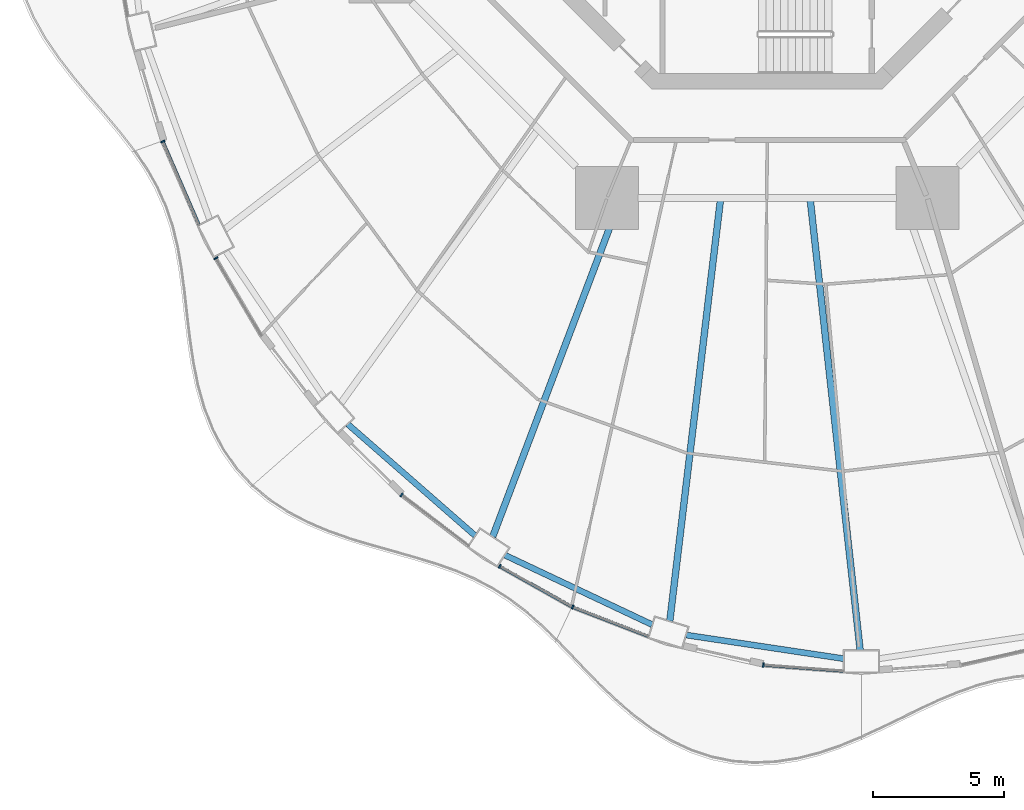
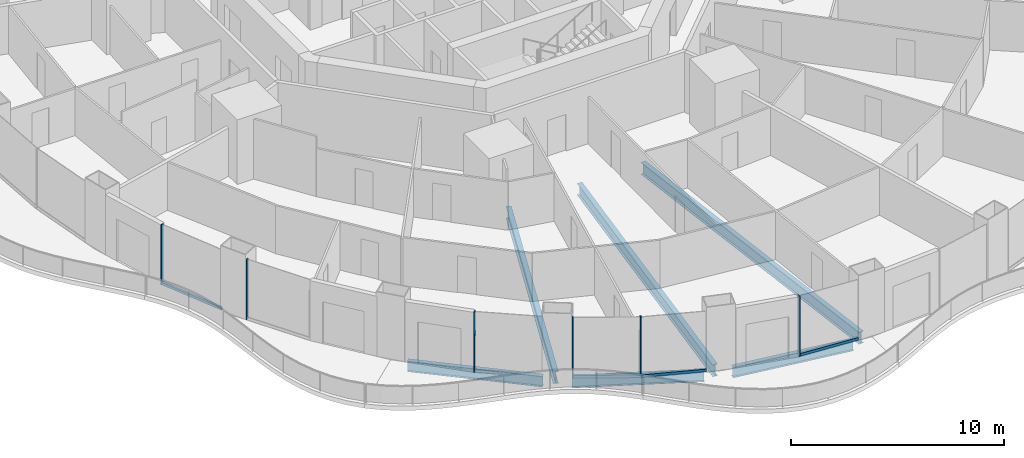
# One storey, part 2 of 22: 10 members, 6 beams, 6 elements without a shape of their own.
"""IFC4 building model written with IfcOpenShell, lengths in metres."""

from ifc_helpers import new_model, si_unit, direction, frame, origin, origin_2d, place, context, subcontext, project, spatial, rectangle, i_section, extrude, material, layer, layer_set, material_profile, profile_set, type_object, element, aggregate, save


model = new_model("IFC4")

# Units and contexts
model_context = context("Model", 3, precision=1e-05, world=origin(), true_north=direction((0.0, 1.0)))
body_context = subcontext(model_context, "Body", "Model", "MODEL_VIEW")
ifc_project = project(units=[si_unit("LENGTHUNIT", "METRE"), si_unit("AREAUNIT", "SQUARE_METRE"), si_unit("VOLUMEUNIT", "CUBIC_METRE"), si_unit("PLANEANGLEUNIT", "RADIAN"), si_unit("MASSUNIT", "GRAM", prefix="KILO")], contexts=[model_context])

# Site, building, storey
site_placement = place(None, origin())
site = spatial("IfcSite", under=ifc_project, at=site_placement, CompositionType="ELEMENT")
building_placement = place(site_placement, origin())
building = spatial("IfcBuilding", under=site, at=building_placement, Name="Nagisa Residences", CompositionType="ELEMENT")
storey_placement = place(building_placement, frame((0.0, 0.0, 49.199951171875)))
storey = spatial("IfcBuildingStorey", under=building, at=storey_placement, Name="L11", CompositionType="ELEMENT", Elevation=49.199951171875)

# Curtain wall, member
ifc_material_1 = material(Name="Concrete-coloured aluminium curtain wall system", Category="concrete")
ifc_layer = layer(ifc_material_1, 0.159912109375)
ifc_layer_set = layer_set([ifc_layer], Name="CW1 CURTAIN WALL")
curtain_wall_type = type_object("IfcCurtainWallType", Name="CW1 CURTAIN WALL", PredefinedType="NOTDEFINED", material=ifc_layer_set)
curtain_wall_1_placement = place(storey_placement, origin())
curtain_wall_1 = element("IfcCurtainWall", 1, at=curtain_wall_1_placement, inside=storey, type_object=curtain_wall_type, Name="cw:CW1:L11:27", PredefinedType="NOTDEFINED")
ifc_material_2 = material(Name="Concrete-coloured aluminium", Category="concrete")
ifc_material_profile_1 = material_profile(ifc_material_2, rectangle(XDim=0.159912109375, YDim=0.06005859375, at=origin_2d()), Name="CW1 MULLION 160x60")
ifc_profile_set_1 = profile_set([ifc_material_profile_1], Name="Concrete-coloured aluminium")
member_type_1 = type_object("IfcMemberType", Name="CW1 MULLION 160x60", PredefinedType="MULLION", material=ifc_profile_set_1)
member_1_placement = place(storey_placement, frame((-23.107177734375, -12.624267578125, 0.0), z_axis=(0.0, 0.0, 1.0), x_axis=(0.917543276295, 0.397635934147, 0.0)))
member_1 = element("IfcMember", 2, at=member_1_placement, type_object=member_type_1, Name="CW1 mullion", PredefinedType="MULLION", context=body_context, shape_type="SweptSolid", body=[
    extrude(rectangle(XDim=0.159912109375, YDim=0.06005859375, at=origin_2d()), origin(), (0.0, 0.0, 1.0), 3.43994140625),
])

curtain_wall_2_placement = place(storey_placement, origin())
curtain_wall_2 = element("IfcCurtainWall", 3, at=curtain_wall_2_placement, inside=storey, type_object=curtain_wall_type, Name="cw:CW1:L11:28", PredefinedType="NOTDEFINED")
member_2_placement = place(storey_placement, frame((-21.076171875, -17.089111328125, 0.0), z_axis=(0.0, 0.0, 1.0), x_axis=(0.862328898214, 0.506348567002, 0.0)))
member_2 = element("IfcMember", 4, at=member_2_placement, type_object=member_type_1, Name="CW1 mullion", PredefinedType="MULLION", context=body_context, shape_type="SweptSolid", body=[
    extrude(rectangle(XDim=0.159912109375, YDim=0.06005859375, at=origin_2d()), origin(), (0.0, 0.0, 1.0), 3.43994140625),
])
aggregate(curtain_wall_2, [member_2])

curtain_wall_3_placement = place(storey_placement, origin())
curtain_wall_3 = element("IfcCurtainWall", 5, at=curtain_wall_3_placement, inside=storey, type_object=curtain_wall_type, Name="cw:CW1:L11:31", PredefinedType="NOTDEFINED")
member_3_placement = place(storey_placement, frame((-13.981689453125, -26.13525390625, 0.0), z_axis=(0.0, 0.0, 1.0), x_axis=(0.605255421737, 0.79603132756, 0.0)))
member_3 = element("IfcMember", 6, at=member_3_placement, type_object=member_type_1, Name="CW1 mullion", PredefinedType="MULLION", context=body_context, shape_type="SweptSolid", body=[
    extrude(rectangle(XDim=0.159912109375, YDim=0.06005859375, at=origin_2d()), origin(), (0.0, 0.0, 1.0), 3.43994140625),
])
aggregate(curtain_wall_3, [member_3])

curtain_wall_4_placement = place(storey_placement, origin())
curtain_wall_4 = element("IfcCurtainWall", 7, at=curtain_wall_4_placement, inside=storey, type_object=curtain_wall_type, Name="cw:CW1:L11:32", PredefinedType="NOTDEFINED")
member_4_placement = place(storey_placement, frame((-10.22412109375, -28.8662109375, 0.0), z_axis=(0.0, 0.0, 1.0), x_axis=(0.489376918501, 0.872072377523, 0.0)))
member_4 = element("IfcMember", 8, at=member_4_placement, type_object=member_type_1, Name="CW1 mullion", PredefinedType="MULLION", context=body_context, shape_type="SweptSolid", body=[
    extrude(rectangle(XDim=0.159912109375, YDim=0.06005859375, at=origin_2d()), origin(), (0.0, 0.0, 1.0), 3.43994140625),
])

curtain_wall_5_placement = place(storey_placement, origin())
curtain_wall_5 = element("IfcCurtainWall", 9, at=curtain_wall_5_placement, inside=storey, type_object=curtain_wall_type, Name="cw:CW1:L11:33", PredefinedType="NOTDEFINED")
member_5_placement = place(storey_placement, frame((-7.44091796875, -30.42431640625, 0.0), z_axis=(0.0, 0.0, 1.0), x_axis=(0.360327770268, 0.932825759707, 0.0)))
member_5 = element("IfcMember", 10, at=member_5_placement, type_object=member_type_1, Name="CW1 mullion", PredefinedType="MULLION", context=body_context, shape_type="SweptSolid", body=[
    extrude(rectangle(XDim=0.159912109375, YDim=0.06005859375, at=origin_2d()), origin(), (0.0, 0.0, 1.0), 3.43994140625),
])

curtain_wall_6_placement = place(storey_placement, origin())
curtain_wall_6 = element("IfcCurtainWall", 11, at=curtain_wall_6_placement, inside=storey, type_object=curtain_wall_type, Name="cw:CW1:L11:35", PredefinedType="NOTDEFINED")
member_6_placement = place(storey_placement, frame((-0.1494140625, -32.64013671875, 0.0), z_axis=(0.0, 0.0, 1.0), x_axis=(0.074377355493, 0.997230168512, 0.0)))
member_6 = element("IfcMember", 12, at=member_6_placement, type_object=member_type_1, Name="CW1 mullion", PredefinedType="MULLION", context=body_context, shape_type="SweptSolid", body=[
    extrude(rectangle(XDim=0.159912109375, YDim=0.06005859375, at=origin_2d()), origin(), (0.0, 0.0, 1.0), 3.43994140625),
])

# Member
ifc_material_3 = material(Name="Concrete-coloured aluminium", Category="concrete")
ifc_material_profile_2 = material_profile(ifc_material_3, rectangle(XDim=0.1201171875, YDim=0.14990234375, at=origin_2d()), Name="CW1 TRANSOM 120x150")
ifc_profile_set_2 = profile_set([ifc_material_profile_2], Name="Concrete-coloured aluminium")
member_type_2 = type_object("IfcMemberType", Name="CW1 TRANSOM 120x150", PredefinedType="USERDEFINED", material=ifc_profile_set_2)
member_7_placement = place(storey_placement, frame((-23.119140625, -12.5966796875, 0.074951171875), z_axis=(0.397624958345, -0.917548032803, 0.0), x_axis=(0.917548032803, 0.397624958345, 0.0)))
member_7 = element("IfcMember", 13, at=member_7_placement, type_object=member_type_2, Name="CW1 transom", ObjectType="TRANSOM", PredefinedType="USERDEFINED", context=body_context, shape_type="SweptSolid", body=[
    extrude(rectangle(XDim=0.1201171875, YDim=0.14990234375, at=origin_2d()), origin(), (0.0, 0.0, 1.0), 3.51953125),
])

aggregate(curtain_wall_1, [member_1, member_7])

member_8_placement = place(storey_placement, frame((-10.25048828125, -28.8515625, 0.074951171875), z_axis=(0.872070011948, -0.489381133946, 0.0), x_axis=(0.489381133946, 0.872070011948, 0.0)))
member_8 = element("IfcMember", 14, at=member_8_placement, type_object=member_type_2, Name="CW1 transom", ObjectType="TRANSOM", PredefinedType="USERDEFINED", context=body_context, shape_type="SweptSolid", body=[
    extrude(rectangle(XDim=0.1201171875, YDim=0.14990234375, at=origin_2d()), origin(), (0.0, 0.0, 1.0), 3.201171875),
])

aggregate(curtain_wall_4, [member_4, member_8])

member_9_placement = place(storey_placement, frame((-7.468994140625, -30.413330078125, 0.074951171875), z_axis=(0.932835426425, -0.360302743822, 0.0), x_axis=(0.360302743822, 0.932835426425, 0.0)))
member_9 = element("IfcMember", 15, at=member_9_placement, type_object=member_type_2, Name="CW1 transom", ObjectType="TRANSOM", PredefinedType="USERDEFINED", context=body_context, shape_type="SweptSolid", body=[
    extrude(rectangle(XDim=0.1201171875, YDim=0.14990234375, at=origin_2d()), origin(), (0.0, 0.0, 1.0), 3.15087890625),
])

aggregate(curtain_wall_5, [member_5, member_9])

member_10_placement = place(storey_placement, frame((-0.17919921875, -32.637939453125, 0.074951171875), z_axis=(0.997230834878, -0.074368420505, 0.0), x_axis=(0.074368420505, 0.997230834878, 0.0)))
member_10 = element("IfcMember", 16, at=member_10_placement, type_object=member_type_2, Name="CW1 transom", ObjectType="TRANSOM", PredefinedType="USERDEFINED", context=body_context, shape_type="SweptSolid", body=[
    extrude(rectangle(XDim=0.1201171875, YDim=0.14990234375, at=origin_2d()), origin(), (0.0, 0.0, 1.0), 3.095703125),
])

aggregate(curtain_wall_6, [member_6, member_10])

# Beams
ifc_material_4 = material(Name="Steel ASTM A572 Gr 50", Category="steel")
ifc_material_profile_3 = material_profile(ifc_material_4, i_section(OverallWidth=0.22802734375, OverallDepth=0.60302734375, WebThickness=0.010498046875, FlangeThickness=0.014892578125, at=origin_2d()), Name="W610x101")
ifc_profile_set_3 = profile_set([ifc_material_profile_3], Name="Steel ASTM A572 Gr 50")
beam_type_1 = type_object("IfcBeamType", Name="Perimeter ring beam W610x101", PredefinedType="BEAM", material=ifc_profile_set_3)
beam_1_placement = place(storey_placement, frame((-16.0361328125, -23.432861328125, -0.5615234375), z_axis=(0.752574357292, -0.658507279191, 0.0), x_axis=(0.658507279191, 0.752574357292, 0.0)))
element("IfcBeam", 17, at=beam_1_placement, inside=storey, type_object=beam_type_1, Name="beam:L11:pb16", PredefinedType="BEAM", context=body_context, shape_type="SweptSolid", body=[
    extrude(i_section(OverallWidth=0.22802734375, OverallDepth=0.60302734375, WebThickness=0.010498046875, FlangeThickness=0.014892578125, at=origin_2d()), origin(), (0.0, 0.0, 1.0), 6.47021484375),
])
beam_2_placement = place(storey_placement, frame((-10.02880859375, -28.439208984375, -0.5615234375), z_axis=(0.904208275867, -0.427091786216, 0.0), x_axis=(0.427091786216, 0.904208275867, 0.0)))
element("IfcBeam", 18, at=beam_2_placement, inside=storey, type_object=beam_type_1, Name="beam:L11:pb17", PredefinedType="BEAM", context=body_context, shape_type="SweptSolid", body=[
    extrude(i_section(OverallWidth=0.22802734375, OverallDepth=0.60302734375, WebThickness=0.010498046875, FlangeThickness=0.014892578125, at=origin_2d()), origin(), (0.0, 0.0, 1.0), 6.227294921875),
])
beam_3_placement = place(storey_placement, frame((-3.096435546875, -31.49462890625, -0.5615234375), z_axis=(0.988914559467, -0.14848566959, 0.0), x_axis=(0.14848566959, 0.988914559467, 0.0)))
element("IfcBeam", 19, at=beam_3_placement, inside=storey, type_object=beam_type_1, Name="beam:L11:pb18", PredefinedType="BEAM", context=body_context, shape_type="SweptSolid", body=[
    extrude(i_section(OverallWidth=0.22802734375, OverallDepth=0.60302734375, WebThickness=0.010498046875, FlangeThickness=0.014892578125, at=origin_2d()), origin(), (0.0, 0.0, 1.0), 6.08349609375),
])
ifc_material_5 = material(Name="Steel ASTM A572 Gr 50", Category="steel")
ifc_material_profile_4 = material_profile(ifc_material_5, i_section(OverallWidth=0.25390625, OverallDepth=0.68408203125, WebThickness=0.012451171875, FlangeThickness=0.018798828125, at=origin_2d()), Name="W690x140")
ifc_profile_set_4 = profile_set([ifc_material_profile_4], Name="Steel ASTM A572 Gr 50")
beam_type_2 = type_object("IfcBeamType", Name="Radial beam W690x140", PredefinedType="BEAM", material=ifc_profile_set_4)
beam_4_placement = place(storey_placement, frame((-10.493896484375, -27.7333984375, -0.60205078125), z_axis=(0.353887892206, 0.935287848606, 0.0), x_axis=(-0.935287848606, 0.353887892206, 0.0)))
element("IfcBeam", 20, at=beam_4_placement, inside=storey, type_object=beam_type_2, Name="beam:L11:rb17", PredefinedType="BEAM", context=body_context, shape_type="SweptSolid", body=[
    extrude(i_section(OverallWidth=0.25390625, OverallDepth=0.68408203125, WebThickness=0.012451171875, FlangeThickness=0.018798828125, at=origin_2d()), origin(), (0.0, 0.0, 1.0), 13.725830078125),
])
beam_5_placement = place(storey_placement, frame((-3.72412109375, -30.958740234375, -0.60205078125), z_axis=(0.119431411612, 0.992842453726, 0.0), x_axis=(-0.992842453726, 0.119431411612, 0.0)))
element("IfcBeam", 21, at=beam_5_placement, inside=storey, type_object=beam_type_2, Name="beam:L11:rb18", PredefinedType="BEAM", context=body_context, shape_type="SweptSolid", body=[
    extrude(i_section(OverallWidth=0.25390625, OverallDepth=0.68408203125, WebThickness=0.012451171875, FlangeThickness=0.018798828125, at=origin_2d()), origin(), (0.0, 0.0, 1.0), 16.1796875),
])
beam_6_placement = place(storey_placement, frame((3.55224609375, -32.06982421875, -0.60205078125), z_axis=(-0.110088818647, 0.993921753464, 0.0), x_axis=(-0.993921753464, -0.110088818647, 0.0)))
element("IfcBeam", 22, at=beam_6_placement, inside=storey, type_object=beam_type_2, Name="beam:L11:rb19", PredefinedType="BEAM", context=body_context, shape_type="SweptSolid", body=[
    extrude(i_section(OverallWidth=0.25390625, OverallDepth=0.68408203125, WebThickness=0.012451171875, FlangeThickness=0.018798828125, at=origin_2d()), origin(), (0.0, 0.0, 1.0), 17.280029296875),
])

save(model, "model.ifc")
